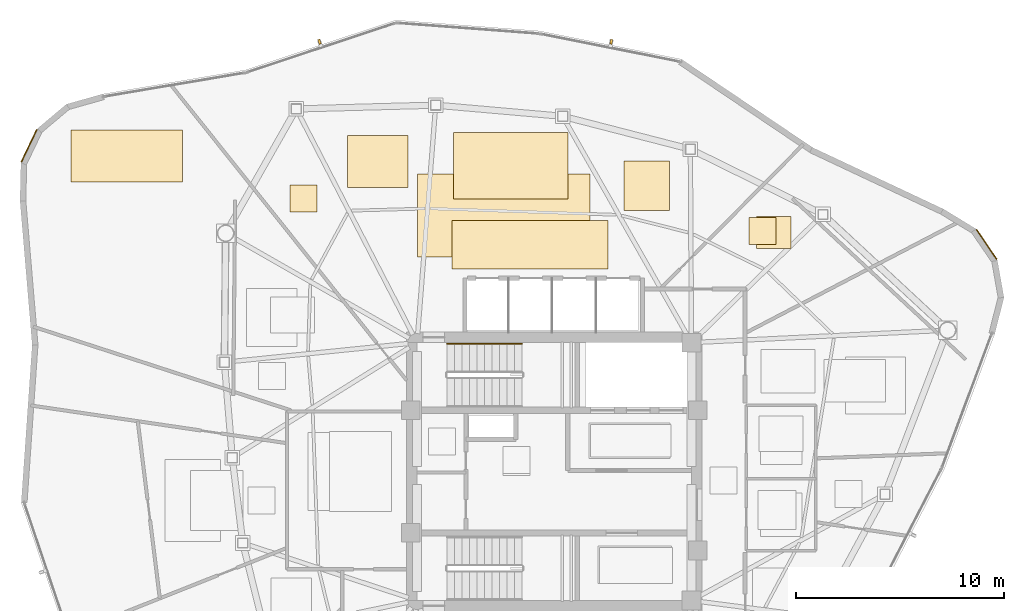
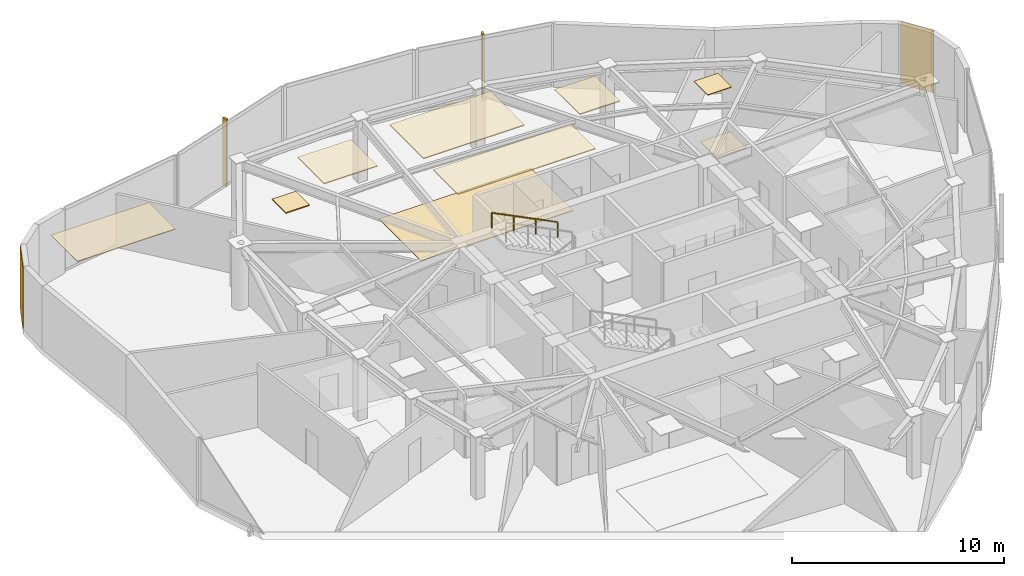
# One storey, part 13 of 13: 11 coverings, 2 shading devices, 1 railing.
"""IFC4 building model written with IfcOpenShell, lengths in metres."""

from ifc_helpers import new_model, si_unit, direction, frame, origin, origin_2d, place, context, subcontext, project, spatial, polyline, rectangle, outline, extrude, source, transform, mapped, material, layer, layer_set, type_object, type_shapes, element, save


model = new_model("IFC4")

# Units and contexts
model_context = context("Model", 3, precision=1e-05, world=origin(), true_north=direction((0.0, 1.0)))
body_context = subcontext(model_context, "Body", "Model", "MODEL_VIEW")
ifc_project = project(units=[si_unit("LENGTHUNIT", "METRE"), si_unit("AREAUNIT", "SQUARE_METRE"), si_unit("VOLUMEUNIT", "CUBIC_METRE"), si_unit("PLANEANGLEUNIT", "RADIAN"), si_unit("MASSUNIT", "GRAM", prefix="KILO")], contexts=[model_context])

# Site, building, storey
site_placement = place(None, origin())
site = spatial("IfcSite", under=ifc_project, at=site_placement, CompositionType="ELEMENT")
building_placement = place(site_placement, origin())
building = spatial("IfcBuilding", under=site, at=building_placement, Name="Tavelor Broadcast Tower", CompositionType="ELEMENT")
storey_placement = place(building_placement, frame((0.0, 0.0, 261.64990234375)))
storey = spatial("IfcBuildingStorey", under=building, at=storey_placement, Name="L62", CompositionType="ELEMENT", Elevation=261.64990234375)

# Coverings
ifc_material_1 = material(Name="Copper-Bronze Anodized Aluminium", Category="aluminium")
ifc_layer_1 = layer(ifc_material_1, 0.050048828125)
ifc_layer_set_1 = layer_set([ifc_layer_1], Name="Copper-Bronze Anodized Aluminium")
covering_type_1 = type_object("IfcCoveringType", Name="Champagne-Bronze Corner Pier Metal Cladding 50 mm", PredefinedType="CLADDING", material=ifc_layer_set_1)
covering_1_placement = place(storey_placement, frame((24.743896484375, 60.668701171875, 0.02001953125), z_axis=(0.0, 0.0, 1.0), x_axis=(-0.43287258152, -0.901455117112, 0.0)))
element("IfcCovering", 1, at=covering_1_placement, inside=storey, type_object=covering_type_1, Name="L62 Champagne-Bronze Corner Cladding 03", PredefinedType="CLADDING", context=body_context, shape_type="SweptSolid", body=[
    extrude(rectangle(XDim=1.725830078125, YDim=0.050048828125, at=origin_2d()), origin(), (0.0, 0.0, 1.0), 3.610107421875),
])
covering_2_placement = place(storey_placement, frame((70.797607421875, 55.92041015625, 0.02001953125), z_axis=(0.0, 0.0, 1.0), x_axis=(-0.56424674103, 0.825606210755, 0.0)))
element("IfcCovering", 2, at=covering_2_placement, inside=storey, type_object=covering_type_1, Name="L62 Champagne-Bronze Corner Cladding 23", PredefinedType="CLADDING", context=body_context, shape_type="SweptSolid", body=[
    extrude(rectangle(XDim=1.7255859375, YDim=0.050048828125, at=origin_2d()), origin(), (0.0, 0.0, 1.0), 3.610107421875),
])

# Railing
ifc_material_2 = material(Name="Steel S355", Category="steel")
railing_type = type_object("IfcRailingType", Name="Continuous Brushed Stainless Handrail 900 mm", PredefinedType="HANDRAIL", material=ifc_material_2)
railing_placement = place(storey_placement, frame((48.449951171875, 51.14990234375, 2.154541015625)))
element("IfcRailing", 3, at=railing_placement, inside=storey, type_object=railing_type, Name="L62 ST1 stair handrail 2", PredefinedType="HANDRAIL", context=body_context, shape_type="SweptSolid", body=[
    extrude(rectangle(XDim=0.048095703125, YDim=0.048095703125, at=origin_2d()), frame((0.0, 0.0, 0.8759765625), z_axis=(-0.894851606799, 0.0, 0.446363755036), x_axis=(0.0, -1.0, 0.0)), (0.0, 0.0, 1.0), 4.02294921875),
    extrude(rectangle(XDim=0.0419921875, YDim=0.0419921875, at=origin_2d()), origin(), (0.0, 0.0, 1.0), 0.851806640625),
    extrude(rectangle(XDim=0.0419921875, YDim=0.0419921875, at=origin_2d()), frame((-1.199951171875, 0.0, 0.5986328125)), (0.0, 0.0, 1.0), 0.851806640625),
    extrude(rectangle(XDim=0.0419921875, YDim=0.0419921875, at=origin_2d()), frame((-2.39990234375, 0.0, 1.197021484375)), (0.0, 0.0, 1.0), 0.851806640625),
    extrude(rectangle(XDim=0.0419921875, YDim=0.0419921875, at=origin_2d()), frame((-3.599853515625, 0.0, 1.795654296875)), (0.0, 0.0, 1.0), 0.851806640625),
])

# Coverings
ifc_material_3 = material(Name="Acoustic Nylon Carpet Tile")
ifc_layer_2 = layer(ifc_material_3, 0.02001953125)
ifc_layer_set_2 = layer_set([ifc_layer_2], Name="Acoustic Nylon Carpet Tile")
covering_type_2 = type_object("IfcCoveringType", Name="Heavy-Duty Acoustic Broadcast Carpet Tile 20 mm", PredefinedType="FLOORING", material=ifc_layer_set_2)
covering_3_placement = place(storey_placement, origin())
element("IfcCovering", 4, at=covering_3_placement, inside=storey, type_object=covering_type_2, Name="L62 Broadcast Floor Finish 0925", PredefinedType="FLOORING", context=body_context, shape_type="SweptSolid", body=[
    extrude(outline(polyline([(59.738525390625, 55.718505859375), (61.3759765625, 55.718505859375), (61.3759765625, 57.259765625), (59.738525390625, 57.259765625), (59.738525390625, 55.718505859375)])), origin(), (0.0, 0.0, 1.0), 0.02001953125),
])
ifc_material_4 = material(Name="Acoustic Hardwood Studio Flooring", Category="wood")
ifc_layer_3 = layer(ifc_material_4, 0.034912109375)
ifc_layer_set_3 = layer_set([ifc_layer_3], Name="Acoustic Hardwood Studio Flooring")
covering_type_3 = type_object("IfcCoveringType", Name="Isolated Studio Acoustic Elastomeric Floor Finish 35 mm", PredefinedType="FLOORING", material=ifc_layer_set_3)
covering_4_placement = place(storey_placement, origin())
element("IfcCovering", 5, at=covering_4_placement, inside=storey, type_object=covering_type_3, Name="L62 Broadcast Floor Finish 0924", PredefinedType="FLOORING", context=body_context, shape_type="SweptSolid", body=[
    extrude(outline(polyline([(43.415771484375, 55.326416015625), (51.70849609375, 55.326416015625), (51.70849609375, 59.3173828125), (43.415771484375, 59.3173828125), (43.415771484375, 55.326416015625)])), origin(), (0.0, 0.0, 1.0), 0.03515625),
])
ifc_material_5 = material(Name="Acoustic Perforated Timber Baffle", Category="wood")
ifc_layer_4 = layer(ifc_material_5, 0.054931640625)
ifc_layer_set_4 = layer_set([ifc_layer_4], Name="Acoustic Perforated Timber Baffle")
covering_type_4 = type_object("IfcCoveringType", Name="Micro-Perforated Acoustic Baffle Studio Ceiling 55 mm", PredefinedType="CEILING", material=ifc_layer_set_4)
covering_5_placement = place(storey_placement, frame((0.0, 0.0, 3.59521484375)))
element("IfcCovering", 6, at=covering_5_placement, inside=storey, type_object=covering_type_4, Name="L62 Suspended Acoustic Ceiling 2429", PredefinedType="CEILING", context=body_context, shape_type="SweptSolid", body=[
    extrude(outline(polyline([(45.0771484375, 54.745849609375), (52.59130859375, 54.745849609375), (52.59130859375, 57.0673828125), (45.0771484375, 57.0673828125), (45.0771484375, 54.745849609375)])), origin(), (0.0, 0.0, 1.0), 0.054931640625),
])
covering_6_placement = place(storey_placement, frame((0.0, 0.0, 3.59521484375)))
element("IfcCovering", 7, at=covering_6_placement, inside=storey, type_object=covering_type_4, Name="L62 Suspended Acoustic Ceiling 2430", PredefinedType="CEILING", context=body_context, shape_type="SweptSolid", body=[
    extrude(outline(polyline([(37.28369140625, 57.473388671875), (38.583740234375, 57.473388671875), (38.583740234375, 58.7734375), (37.28369140625, 58.7734375), (37.28369140625, 57.473388671875)])), origin(), (0.0, 0.0, 1.0), 0.054931640625),
])
covering_7_placement = place(storey_placement, frame((0.0, 0.0, 3.59521484375)))
element("IfcCovering", 8, at=covering_7_placement, inside=storey, type_object=covering_type_4, Name="L62 Suspended Acoustic Ceiling 2431", PredefinedType="CEILING", context=body_context, shape_type="SweptSolid", body=[
    extrude(outline(polyline([(53.34716796875, 57.56591796875), (55.541259765625, 57.56591796875), (55.541259765625, 59.923583984375), (53.34716796875, 59.923583984375), (53.34716796875, 57.56591796875)])), origin(), (0.0, 0.0, 1.0), 0.054931640625),
])
covering_8_placement = place(storey_placement, frame((0.0, 0.0, 3.59521484375)))
element("IfcCovering", 9, at=covering_8_placement, inside=storey, type_object=covering_type_4, Name="L62 Suspended Acoustic Ceiling 2432", PredefinedType="CEILING", context=body_context, shape_type="SweptSolid", body=[
    extrude(outline(polyline([(45.152587890625, 58.102783203125), (50.654541015625, 58.102783203125), (50.654541015625, 61.3037109375), (45.152587890625, 61.3037109375), (45.152587890625, 58.102783203125)])), origin(), (0.0, 0.0, 1.0), 0.054931640625),
])
covering_9_placement = place(storey_placement, frame((0.0, 0.0, 3.59521484375)))
element("IfcCovering", 10, at=covering_9_placement, inside=storey, type_object=covering_type_4, Name="L62 Suspended Acoustic Ceiling 2433", PredefinedType="CEILING", context=body_context, shape_type="SweptSolid", body=[
    extrude(outline(polyline([(40.0498046875, 58.655029296875), (42.9560546875, 58.655029296875), (42.9560546875, 61.15478515625), (40.0498046875, 61.15478515625), (40.0498046875, 58.655029296875)])), origin(), (0.0, 0.0, 1.0), 0.054931640625),
])
ifc_material_6 = material(Name="Acoustic Mineral Fibre Tile")
ifc_layer_5 = layer(ifc_material_6, 0.0400390625)
ifc_layer_set_5 = layer_set([ifc_layer_5], Name="Acoustic Mineral Fibre Tile")
covering_type_5 = type_object("IfcCoveringType", Name="Suspended Acoustic Mineral-Fibre Office Ceiling 40 mm", PredefinedType="CEILING", material=ifc_layer_set_5)
covering_10_placement = place(storey_placement, frame((0.0, 0.0, 3.610107421875)))
element("IfcCovering", 11, at=covering_10_placement, inside=storey, type_object=covering_type_5, Name="L62 Suspended Acoustic Ceiling 2426", PredefinedType="CEILING", context=body_context, shape_type="SweptSolid", body=[
    extrude(outline(polyline([(26.758544921875, 58.922119140625), (32.114990234375, 58.922119140625), (32.114990234375, 61.433837890625), (26.758544921875, 61.433837890625), (26.758544921875, 58.922119140625)])), origin(), (0.0, 0.0, 1.0), 0.0400390625),
])
covering_11_placement = place(storey_placement, frame((0.0, 0.0, 3.610107421875)))
element("IfcCovering", 12, at=covering_11_placement, inside=storey, type_object=covering_type_5, Name="L62 Suspended Acoustic Ceiling 2434", PredefinedType="CEILING", context=body_context, shape_type="SweptSolid", body=[
    extrude(outline(polyline([(59.376220703125, 55.91552734375), (60.67626953125, 55.91552734375), (60.67626953125, 57.215576171875), (59.376220703125, 57.215576171875), (59.376220703125, 55.91552734375)])), origin(), (0.0, 0.0, 1.0), 0.0400390625),
])

# Shading devices
ifc_material_7 = material(Name="Kiln-Fired Glazed Terracotta", Category="masonry")
shading_device_type = type_object("IfcShadingDeviceType", Name="Extruded Terracotta Baguette Sun-Screen 110x240", PredefinedType="JALOUSIE", material=ifc_material_7)
shared_shape = source(origin(), body_context, "Body", "SweptSolid", [
    extrude(rectangle(XDim=0.110107421875, YDim=0.239990234375, at=origin_2d()), origin(), (0.0, 0.0, 1.0), 3.889892578125),
])
type_shapes(shading_device_type, [shared_shape])
for number, where, z_axis, x_axis, name in (
    (13, (52.741943359375, 65.670654296875, -0.259765625), (0.0, 0.0, 1.0), (-0.98068299691, 0.195603833222, 0.0), "L62 Terracotta Baguette Fin 647"),
    (14, (38.70947265625, 65.66943359375, -0.259765625), (0.0, 0.0, 1.0), (-0.94909614499, -0.314986519655, 0.0), "L62 Terracotta Baguette Fin 648"),
):
    element("IfcShadingDevice", number, at=place(storey_placement, frame(where, z_axis=z_axis, x_axis=x_axis)), inside=storey, type_object=shading_device_type, Name=name, PredefinedType="JALOUSIE", context=body_context, shape_type="MappedRepresentation", body=[
        mapped(shared_shape, transform((0.0, 0.0, 0.0), scale=1.0)),
    ])

save(model, "model.ifc")
